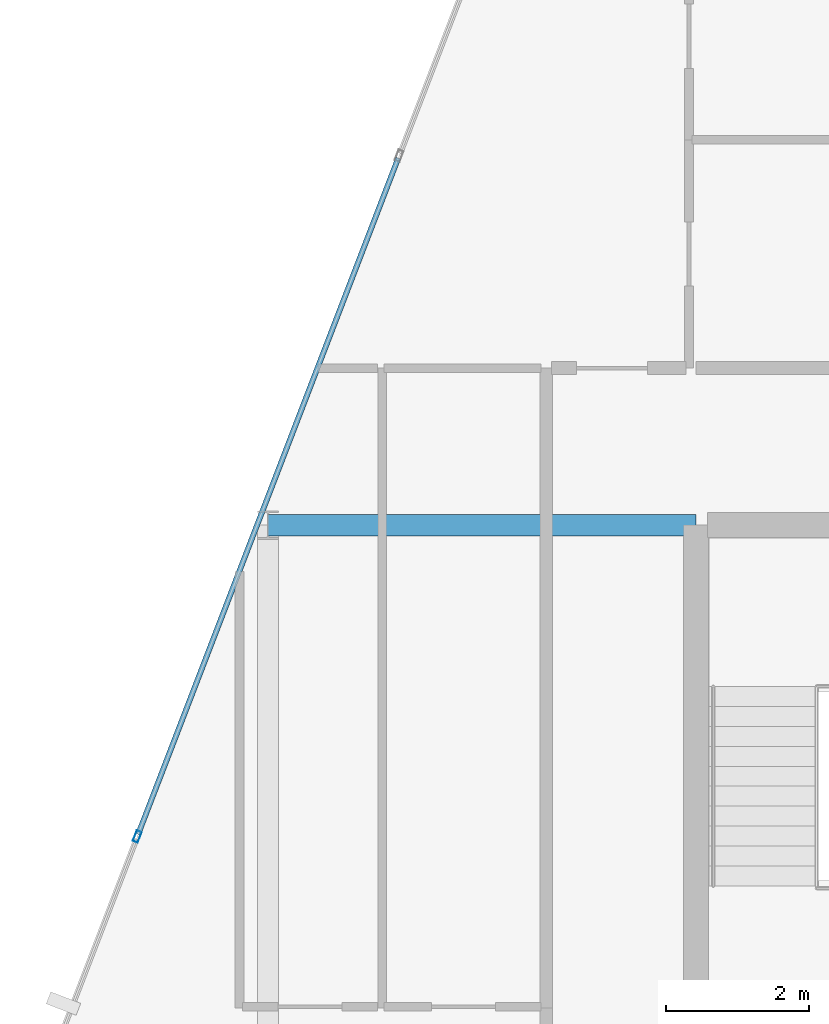
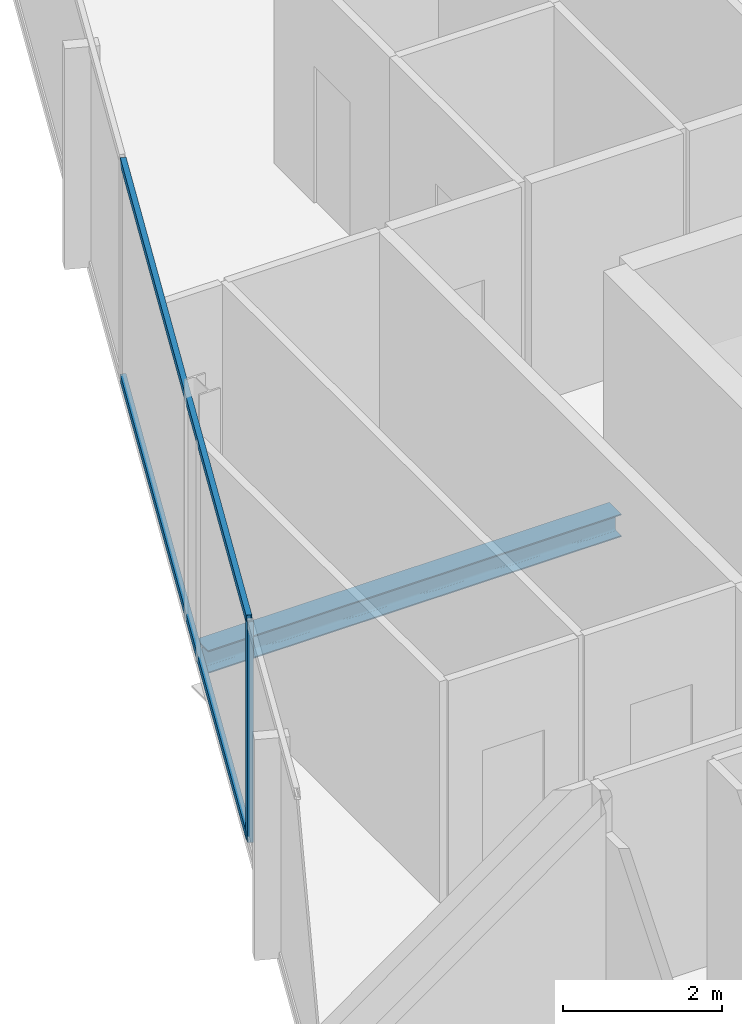
# One storey, part 10 of 27: 3 members, 1 beam, 1 element without a shape of its own.
"""IFC4 building model written with IfcOpenShell, lengths in metres."""

from ifc_helpers import new_model, si_unit, direction, frame, origin, origin_2d, place, context, subcontext, project, spatial, hollow_rectangle, i_section, extrude, material, layer, layer_set, material_profile, profile_set, type_object, element, aggregate, save


model = new_model("IFC4")

# Units and contexts
model_context = context("Model", 3, precision=1e-05, world=origin(), true_north=direction((0.0, 1.0)))
body_context = subcontext(model_context, "Body", "Model", "MODEL_VIEW")
ifc_project = project(units=[si_unit("LENGTHUNIT", "METRE"), si_unit("AREAUNIT", "SQUARE_METRE"), si_unit("VOLUMEUNIT", "CUBIC_METRE"), si_unit("PLANEANGLEUNIT", "RADIAN"), si_unit("MASSUNIT", "GRAM", prefix="KILO")], contexts=[model_context])

# Site, building, storey
site_placement = place(None, origin())
site = spatial("IfcSite", under=ifc_project, at=site_placement, CompositionType="ELEMENT")
building_placement = place(site_placement, origin())
building = spatial("IfcBuilding", under=site, at=building_placement, Name="Keshet Zoharim Tower", CompositionType="ELEMENT")
storey_placement = place(building_placement, frame((0.0, 0.0, 288.0)))
storey = spatial("IfcBuildingStorey", under=building, at=storey_placement, Name="L72", CompositionType="ELEMENT", Elevation=288.0)

# Beam
ifc_material_1 = material(Name="Steel S355", Category="steel")
ifc_material_profile_1 = material_profile(ifc_material_1, i_section(OverallWidth=0.300048828125, OverallDepth=0.35009765625, WebThickness=0.010009765625, FlangeThickness=0.017578125, FilletRadius=0.027099609375, at=origin_2d()), Name="HEA360")
ifc_profile_set_1 = profile_set([ifc_material_profile_1], Name="Steel S355")
beam_type = type_object("IfcBeamType", Name="BM-PRI-HA360", PredefinedType="BEAM", material=ifc_profile_set_1)
beam_placement = place(storey_placement, frame((9.0, 37.89990234375, -0.485107421875), z_axis=(1.0, 0.0, 0.0), x_axis=(0.0, 1.0, 0.0)))
element("IfcBeam", 1, at=beam_placement, inside=storey, type_object=beam_type, Name="L72 Primary Girder X-008", PredefinedType="BEAM", context=body_context, shape_type="SweptSolid", body=[
    extrude(i_section(OverallWidth=0.300048828125, OverallDepth=0.35009765625, WebThickness=0.010009765625, FlangeThickness=0.017578125, FilletRadius=0.027099609375, at=origin_2d()), origin(), (0.0, 0.0, 1.0), 6.0),
])

# Curtain wall, members
ifc_material_2 = material(Name="Aluminium 6063-T6", Category="aluminium")
ifc_layer = layer(ifc_material_2, 0.260009765625)
ifc_layer_set = layer_set([ifc_layer], Name="Aluminium 6063-T6")
curtain_wall_type = type_object("IfcCurtainWallType", Name="CW-SYS-06", PredefinedType="NOTDEFINED", material=ifc_layer_set)
curtain_wall_placement = place(storey_placement, origin())
curtain_wall = element("IfcCurtainWall", 2, at=curtain_wall_placement, inside=storey, type_object=curtain_wall_type, Name="L72 Unitised Curtain Wall 03", PredefinedType="NOTDEFINED")
ifc_material_profile_2 = material_profile(ifc_material_2, hollow_rectangle(XDim=0.074951171875, YDim=0.159912109375, WallThickness=0.00390625, at=origin_2d()), Name="MUL-75x160")
ifc_profile_set_2 = profile_set([ifc_material_profile_2], Name="Aluminium 6063-T6")
member_type_1 = type_object("IfcMemberType", Name="CWM-M15", PredefinedType="MULLION", material=ifc_profile_set_2)
member_1_placement = place(storey_placement, frame((7.1669921875, 33.53466796875, 0.0), z_axis=(0.0, 0.0, 1.0), x_axis=(-0.933341404361, 0.358990003907, 0.0)))
member_1 = element("IfcMember", 3, at=member_1_placement, type_object=member_type_1, Name="CW-06 mullion 2", PredefinedType="MULLION", context=body_context, shape_type="SweptSolid", body=[
    extrude(hollow_rectangle(XDim=0.074951171875, YDim=0.159912109375, WallThickness=0.00390625, at=origin_2d()), origin(), (0.0, 0.0, 1.0), 3.389892578125),
])
ifc_material_profile_3 = material_profile(ifc_material_2, hollow_rectangle(XDim=0.074951171875, YDim=0.1201171875, WallThickness=0.00390625, at=origin_2d()), Name="TRN-75x120")
ifc_profile_set_3 = profile_set([ifc_material_profile_3], Name="Aluminium 6063-T6")
member_type_2 = type_object("IfcMemberType", Name="CWT-T12", PredefinedType="USERDEFINED", material=ifc_profile_set_3)
member_2_placement = place(storey_placement, frame((7.179443359375, 33.5673828125, 0.034912109375), z_axis=(0.359003248899, 0.933336309848, 0.0), x_axis=(-0.933336309848, 0.359003248899, 0.0)))
member_2 = element("IfcMember", 4, at=member_2_placement, type_object=member_type_2, Name="CW-06 transom 2.1", ObjectType="TRANSOM", PredefinedType="USERDEFINED", context=body_context, shape_type="SweptSolid", body=[
    extrude(hollow_rectangle(XDim=0.074951171875, YDim=0.1201171875, WallThickness=0.00390625, at=origin_2d()), origin(), (0.0, 0.0, 1.0), 10.153076171875),
])
member_3_placement = place(storey_placement, frame((7.179443359375, 33.5673828125, 3.35498046875), z_axis=(0.359003248899, 0.933336309848, 0.0), x_axis=(-0.933336309848, 0.359003248899, 0.0)))
member_3 = element("IfcMember", 5, at=member_3_placement, type_object=member_type_2, Name="CW-06 transom 2.2", ObjectType="TRANSOM", PredefinedType="USERDEFINED", context=body_context, shape_type="SweptSolid", body=[
    extrude(hollow_rectangle(XDim=0.074951171875, YDim=0.1201171875, WallThickness=0.00390625, at=origin_2d()), origin(), (0.0, 0.0, 1.0), 10.153076171875),
])
aggregate(curtain_wall, [member_1, member_2, member_3])

save(model, "model.ifc")
